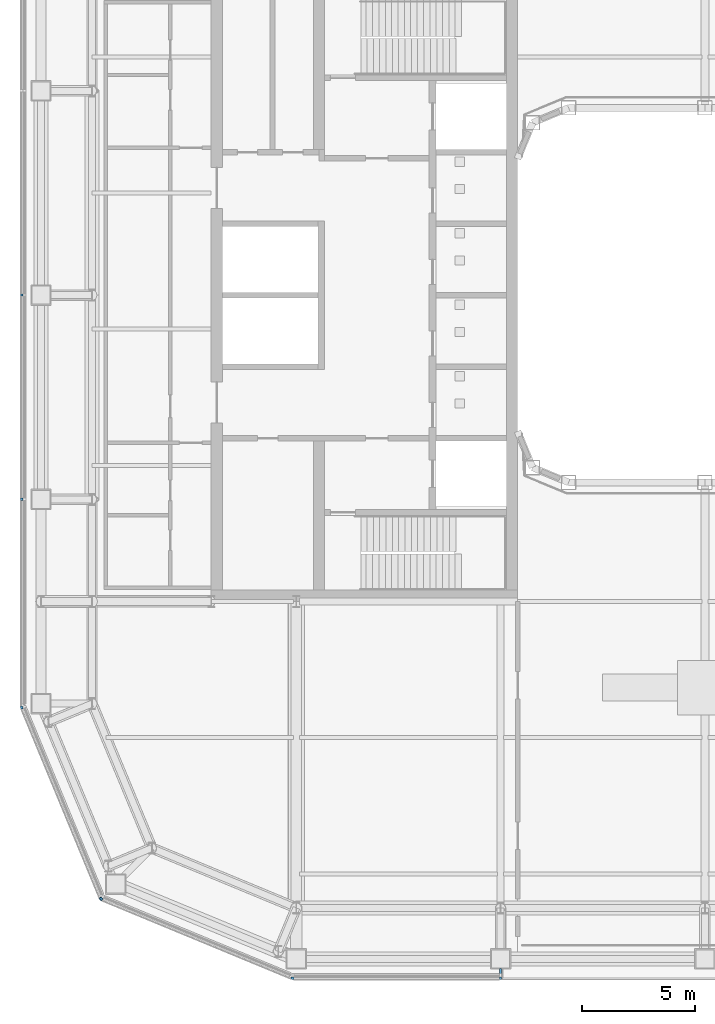
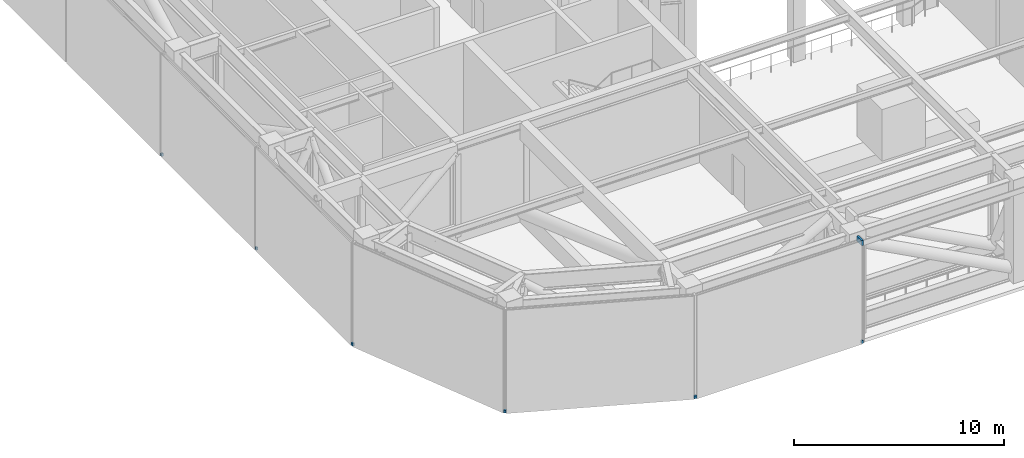
# One storey, part 15 of 22: 7 discrete accessories.
"""IFC4 building model written with IfcOpenShell, lengths in metres."""

from ifc_helpers import new_model, si_unit, direction, frame, origin, origin_2d, place, context, subcontext, project, spatial, rectangle, extrude, material, type_object, element, save


model = new_model("IFC4")

# Units and contexts
model_context = context("Model", 3, precision=1e-05, world=origin(), true_north=direction((0.0, 1.0)))
body_context = subcontext(model_context, "Body", "Model", "MODEL_VIEW")
ifc_project = project(units=[si_unit("LENGTHUNIT", "METRE"), si_unit("AREAUNIT", "SQUARE_METRE"), si_unit("VOLUMEUNIT", "CUBIC_METRE"), si_unit("PLANEANGLEUNIT", "RADIAN"), si_unit("MASSUNIT", "GRAM", prefix="KILO")], contexts=[model_context])

# Site, building, storey
site_placement = place(None, origin())
site = spatial("IfcSite", under=ifc_project, at=site_placement, CompositionType="ELEMENT")
building_placement = place(site_placement, origin())
building = spatial("IfcBuilding", under=site, at=building_placement, Name="Siwar Civic Tower", CompositionType="ELEMENT")
storey_placement = place(building_placement, frame((0.0, 0.0, 181.199951171875)))
storey = spatial("IfcBuildingStorey", under=building, at=storey_placement, Name="L39", CompositionType="ELEMENT", Elevation=181.199951171875)

# Discrete accessories
ifc_material = material(Name="Stainless steel 316", Category="steel")
discrete_accessory_type = type_object("IfcDiscreteAccessoryType", Name="ENV-BRACKET", PredefinedType="BRACKET", material=ifc_material)
discrete_accessory_1_placement = place(storey_placement, frame((-9.0, -30.10009765625, -0.1796875), z_axis=(0.0, 0.0, 1.0), x_axis=(0.0, -1.0, 0.0)))
element("IfcDiscreteAccessory", 1, at=discrete_accessory_1_placement, inside=storey, type_object=discrete_accessory_type, Name="Bracket outer skin joint S-01", PredefinedType="BRACKET", context=body_context, shape_type="SweptSolid", body=[
    extrude(rectangle(XDim=0.10009765625, YDim=0.10009765625, at=origin_2d()), origin(), (0.0, 0.0, 1.0), 0.159912109375),
])
for number, where, z_axis, x_axis, name in (
    (2, (-18.169189453125, -30.10009765625, -0.1796875), (0.0, 0.0, 1.0), (-0.195090322016, -0.980785280403, 0.0), "Bracket outer skin joint V00"),
    (3, (-30.10009765625, -18.169189453125, -0.1796875), (0.0, 0.0, 1.0), (-0.980785280403, -0.195090322016, 0.0), "Bracket outer skin joint V10"),
):
    element("IfcDiscreteAccessory", number, at=place(storey_placement, frame(where, z_axis=z_axis, x_axis=x_axis)), inside=storey, type_object=discrete_accessory_type, Name=name, PredefinedType="BRACKET", context=body_context, shape_type="SweptSolid", body=[
        extrude(rectangle(XDim=0.10205078125, YDim=0.13720703125, at=origin_2d()), origin(), (0.0, 0.0, 1.0), 0.159912109375),
    ])
discrete_accessory_2_placement = place(storey_placement, frame((-26.60546875, -26.60546875, -0.1796875), z_axis=(0.0, 0.0, 1.0), x_axis=(-0.707106781187, -0.707106781187, 0.0)))
element("IfcDiscreteAccessory", 4, at=discrete_accessory_2_placement, inside=storey, type_object=discrete_accessory_type, Name="Bracket outer skin joint V11", PredefinedType="BRACKET", context=body_context, shape_type="SweptSolid", body=[
    extrude(rectangle(XDim=0.108154296875, YDim=0.12939453125, at=origin_2d()), origin(), (0.0, 0.0, 1.0), 0.159912109375),
])
for number, where, z_axis, x_axis, name in (
    (5, (-30.10009765625, 0.0, -0.1796875), (0.0, 0.0, 1.0), (-1.0, 0.0, 0.0), "Bracket outer skin joint W-02"),
    (6, (-30.10009765625, -9.0, -0.1796875), (0.0, 0.0, 1.0), (-1.0, 0.0, 0.0), "Bracket outer skin joint W-03"),
):
    element("IfcDiscreteAccessory", number, at=place(storey_placement, frame(where, z_axis=z_axis, x_axis=x_axis)), inside=storey, type_object=discrete_accessory_type, Name=name, PredefinedType="BRACKET", context=body_context, shape_type="SweptSolid", body=[
        extrude(rectangle(XDim=0.10009765625, YDim=0.10009765625, at=origin_2d()), origin(), (0.0, 0.0, 1.0), 0.159912109375),
    ])
discrete_accessory_3_placement = place(storey_placement, frame((-9.0, -29.9150390625, 5.5), z_axis=(0.0, 0.0, 1.0), x_axis=(0.0, 1.0, 0.0)))
element("IfcDiscreteAccessory", 7, at=discrete_accessory_3_placement, inside=storey, type_object=discrete_accessory_type, Name="Bracket portal frame S L39", PredefinedType="BRACKET", context=body_context, shape_type="SweptSolid", body=[
    extrude(rectangle(XDim=0.469970703125, YDim=0.10009765625, at=origin_2d()), origin(), (0.0, 0.0, 1.0), 0.300048828125),
])

save(model, "model.ifc")
